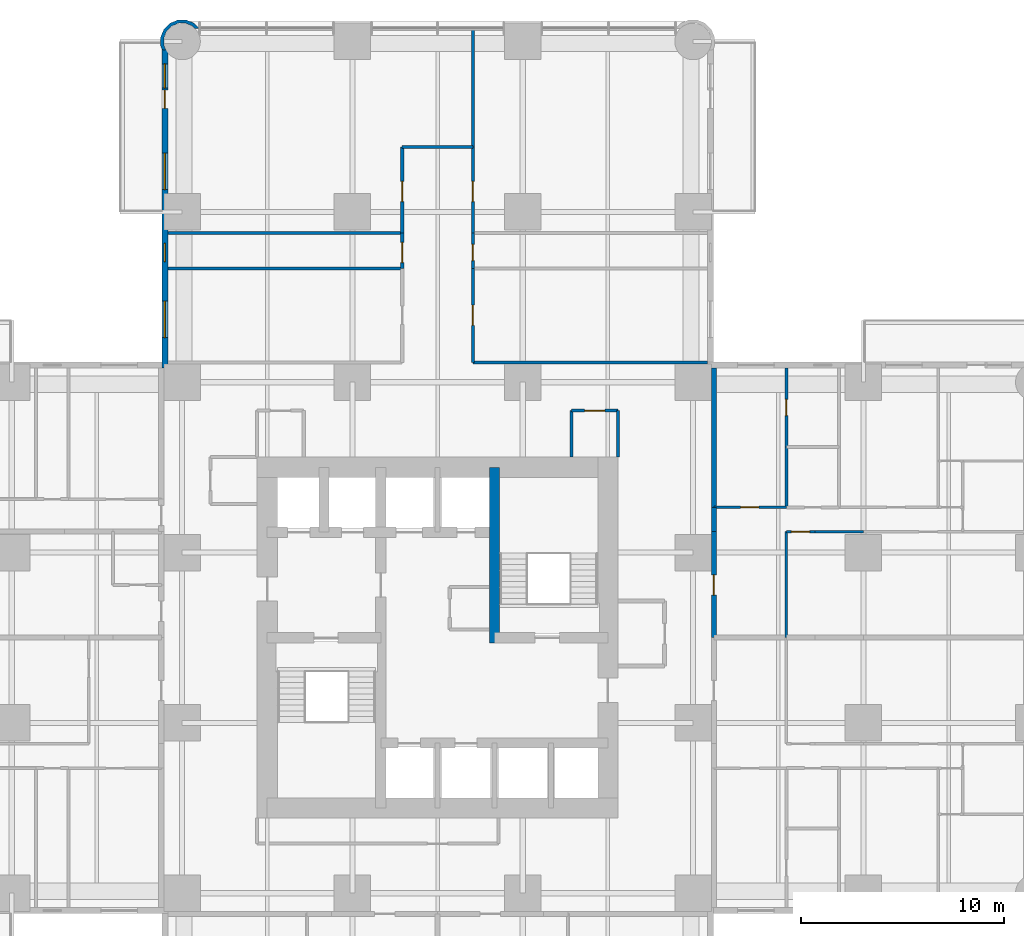
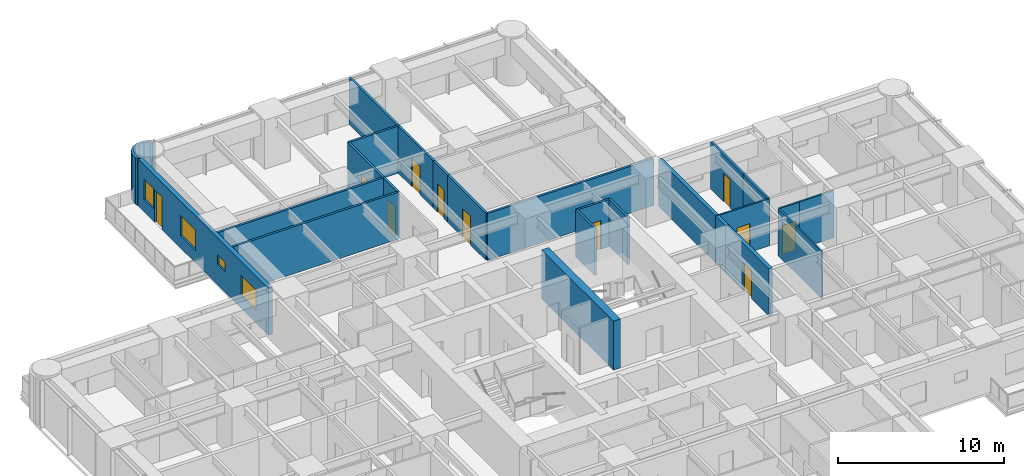
# One storey, part 13 of 17: 25 walls, 11 doors, 4 windows, 15 openings.
"""IFC4 building model written with IfcOpenShell, lengths in metres."""

from ifc_helpers import new_model, si_unit, direction, frame, frame_2d, origin, place, context, subcontext, project, spatial, polyline, rectangle, outline, extrude, material, layer, layer_set, type_object, element, fill, save


model = new_model("IFC4")

# Units and contexts
model_context = context("Model", 3, precision=1e-05, world=origin(), true_north=direction((0.0, 1.0)))
body_context = subcontext(model_context, "Body", "Model", "MODEL_VIEW")
ifc_project = project(units=[si_unit("LENGTHUNIT", "METRE"), si_unit("AREAUNIT", "SQUARE_METRE"), si_unit("VOLUMEUNIT", "CUBIC_METRE"), si_unit("PLANEANGLEUNIT", "RADIAN"), si_unit("MASSUNIT", "GRAM", prefix="KILO")], contexts=[model_context])

# Site, building, storey
site_placement = place(None, origin())
site = spatial("IfcSite", under=ifc_project, at=site_placement, CompositionType="ELEMENT")
building_placement = place(site_placement, origin())
building = spatial("IfcBuilding", under=site, at=building_placement, Name="Torre Alcanfor", CompositionType="ELEMENT")
storey_placement = place(building_placement, frame((0.0, 0.0, 34.5)))
storey = spatial("IfcBuildingStorey", under=building, at=storey_placement, Name="L07", CompositionType="ELEMENT", Elevation=34.5)

# Wall, opening, door
ifc_material_1 = material(Name="Concrete block masonry, hollow blocks NMX-C-404 9 MPa", Category="masonry")
ifc_layer_1 = layer(ifc_material_1, 0.25)
ifc_layer_set_1 = layer_set([ifc_layer_1], Name="Apartment entrance wall 250 EI 60")
wall_type_1 = type_object("IfcWallType", Name="Apartment entrance wall 250 EI 60", PredefinedType="PARTITIONING", material=ifc_layer_set_1)
wall_1_placement = place(storey_placement, frame((43.02490234375, 34.62890625, 0.0), z_axis=(0.0, 0.0, 1.0), x_axis=(0.0, -1.0, 0.0)))
wall_1 = element("IfcWall", 1, at=wall_1_placement, inside=storey, type_object=wall_type_1, Name="Partition L07-CORR / L07-E1-ZAG", PredefinedType="PARTITIONING", context=body_context, shape_type="SweptSolid", body=[
    extrude(rectangle(XDim=5.22900390625, YDim=0.25, at=frame_2d((2.614501953125, 0.0))), origin(), (0.0, 0.0, 1.0), 3.449951171875),
])
opening_1_placement = place(wall_1_placement, frame((2.12890625, 0.0, 0.0)))
opening_1 = element("IfcOpeningElement", 2, at=opening_1_placement, cuts=wall_1, Name="Opening D-A1", PredefinedType="OPENING", context=body_context, shape_type="SweptSolid", body=[
    extrude(rectangle(XDim=1.0, YDim=2.10009765625, at=frame_2d((0.5, 1.050048828125))), frame((0.0, 0.135009765625, 0.0), z_axis=(0.0, -1.0, 0.0), x_axis=(1.0, 0.0, 0.0)), (0.0, 0.0, 1.0), 0.27001953125),
])
ifc_material_2 = material(Name="Galvanised steel sheet ASTM A653", Category="steel")
door_type_1 = type_object("IfcDoorType", Name="Apartment entrance door FD60 1000x2100", OperationType="SINGLE_SWING_LEFT", PredefinedType="DOOR", material=ifc_material_2)
door_1_placement = place(opening_1_placement, origin())
door_1 = element("IfcDoor", 3, at=door_1_placement, inside=storey, type_object=door_type_1, Name="Apartment entrance L07-E1", OperationType="SINGLE_SWING_RIGHT", OverallHeight=2.10009765625, OverallWidth=1.0, PredefinedType="DOOR", context=body_context, shape_type="SweptSolid", body=[
    extrude(rectangle(XDim=1.0, YDim=2.10009765625, at=frame_2d((0.5, 1.050048828125))), frame((0.0, 0.02490234375, 0.0), z_axis=(0.0, -1.0, 0.0), x_axis=(1.0, 0.0, 0.0)), (0.0, 0.0, 1.0), 0.050048828125),
])
fill(opening_1, door_1)

# Walls
wall_2_placement = place(storey_placement, frame((43.02490234375, 35.8291015625, 0.0), z_axis=(0.0, 0.0, 1.0), x_axis=(0.0, -1.0, 0.0)))
element("IfcWall", 4, at=wall_2_placement, inside=storey, type_object=wall_type_1, Name="Partition L07-CORR / L07-E1-HALL", PredefinedType="PARTITIONING", context=body_context, shape_type="SweptSolid", body=[
    extrude(rectangle(XDim=1.2001953125, YDim=0.25, at=frame_2d((0.60009765625, 0.0))), origin(), (0.0, 0.0, 1.0), 3.449951171875),
])
wall_3_placement = place(storey_placement, frame((43.02490234375, 42.699951171875, 0.0), z_axis=(0.0, 0.0, 1.0), x_axis=(0.0, -1.0, 0.0)))
element("IfcWall", 5, at=wall_3_placement, inside=storey, type_object=wall_type_1, Name="Partition L07-CORR / L07-E1-SERV", PredefinedType="PARTITIONING", context=body_context, shape_type="SweptSolid", body=[
    extrude(rectangle(XDim=6.870849609375, YDim=0.25, at=frame_2d((3.435546875, 0.0))), origin(), (0.0, 0.0, 1.0), 3.449951171875),
])
ifc_material_3 = material(Name="Gypsum board on steel studs", Category="steel")
ifc_layer_2 = layer(ifc_material_3, 0.1201171875)
ifc_layer_set_2 = layer_set([ifc_layer_2], Name="Apartment partition 120")
wall_type_2 = type_object("IfcWallType", Name="Apartment partition 120", PredefinedType="PARTITIONING", material=ifc_layer_set_2)
wall_4_placement = place(storey_placement, frame((46.60009765625, 29.39990234375, 0.0), z_axis=(0.0, 0.0, 1.0), x_axis=(0.0, 1.0, 0.0)))
element("IfcWall", 6, at=wall_4_placement, inside=storey, type_object=wall_type_2, Name="Partition L07-E1-ZAG / L07-E1-LAUND", PredefinedType="PARTITIONING", context=body_context, shape_type="SweptSolid", body=[
    extrude(rectangle(XDim=5.22900390625, YDim=0.1201171875, at=frame_2d((2.614501953125, 0.0))), origin(), (0.0, 0.0, 1.0), 3.449951171875),
])

# Wall, opening, door
wall_5_placement = place(storey_placement, frame((48.0, 34.62890625, 0.0), z_axis=(0.0, 0.0, 1.0), x_axis=(-1.0, 0.0, 0.0)))
wall_5 = element("IfcWall", 7, at=wall_5_placement, inside=storey, type_object=wall_type_2, Name="Partition L07-E1-LAUND / L07-E1-HALL", PredefinedType="PARTITIONING", context=body_context, shape_type="SweptSolid", body=[
    extrude(rectangle(XDim=1.39990234375, YDim=0.1201171875, at=frame_2d((0.699951171875, 0.0))), origin(), (0.0, 0.0, 1.0), 3.449951171875),
])
opening_2_placement = place(wall_5_placement, frame((0.25, 0.0, 0.0)))
opening_2 = element("IfcOpeningElement", 8, at=opening_2_placement, cuts=wall_5, Name="Opening D-R1", PredefinedType="OPENING", context=body_context, shape_type="SweptSolid", body=[
    extrude(rectangle(XDim=0.89990234375, YDim=2.10009765625, at=frame_2d((0.449951171875, 1.050048828125))), frame((0.0, 0.070068359375, 0.0), z_axis=(0.0, -1.0, 0.0), x_axis=(1.0, 0.0, 0.0)), (0.0, 0.0, 1.0), 0.14013671875),
])
ifc_material_4 = material(Name="Timber", Category="wood")
door_type_2 = type_object("IfcDoorType", Name="Internal door 900x2100", OperationType="SINGLE_SWING_LEFT", PredefinedType="DOOR", material=ifc_material_4)
door_2_placement = place(opening_2_placement, origin())
door_2 = element("IfcDoor", 9, at=door_2_placement, inside=storey, type_object=door_type_2, Name="Door L07-E1 laund", OperationType="SINGLE_SWING_LEFT", OverallHeight=2.10009765625, OverallWidth=0.89990234375, PredefinedType="DOOR", context=body_context, shape_type="SweptSolid", body=[
    extrude(rectangle(XDim=0.89990234375, YDim=2.10009765625, at=frame_2d((0.449951171875, 1.050048828125))), frame((0.0, 0.02490234375, 0.0), z_axis=(0.0, -1.0, 0.0), x_axis=(1.0, 0.0, 0.0)), (0.0, 0.0, 1.0), 0.050048828125),
])
fill(opening_2, door_2)

# Wall
wall_6_placement = place(storey_placement, frame((50.39990234375, 34.62890625, 0.0), z_axis=(0.0, 0.0, 1.0), x_axis=(-1.0, 0.0, 0.0)))
element("IfcWall", 10, at=wall_6_placement, inside=storey, type_object=wall_type_2, Name="Partition L07-E1-KITCHEN / L07-E1-HALL", PredefinedType="PARTITIONING", context=body_context, shape_type="SweptSolid", body=[
    extrude(rectangle(XDim=2.39990234375, YDim=0.1201171875, at=frame_2d((1.199951171875, 0.0))), origin(), (0.0, 0.0, 1.0), 3.449951171875),
])

# Wall, opening, door
wall_7_placement = place(storey_placement, frame((46.60009765625, 35.8291015625, 0.0), z_axis=(0.0, 0.0, 1.0), x_axis=(-1.0, 0.0, 0.0)))
wall_7 = element("IfcWall", 11, at=wall_7_placement, inside=storey, type_object=wall_type_2, Name="Partition L07-E1-HALL / L07-E1-SERV", PredefinedType="PARTITIONING", context=body_context, shape_type="SweptSolid", body=[
    extrude(rectangle(XDim=3.5751953125, YDim=0.1201171875, at=frame_2d((1.78759765625, 0.0))), origin(), (0.0, 0.0, 1.0), 3.449951171875),
])
opening_3_placement = place(wall_7_placement, frame((1.35009765625, 0.0, 0.0)))
opening_3 = element("IfcOpeningElement", 12, at=opening_3_placement, cuts=wall_7, Name="Opening D-R1", PredefinedType="OPENING", context=body_context, shape_type="SweptSolid", body=[
    extrude(rectangle(XDim=0.89990234375, YDim=2.10009765625, at=frame_2d((0.449951171875, 1.050048828125))), frame((0.0, 0.070068359375, 0.0), z_axis=(0.0, -1.0, 0.0), x_axis=(1.0, 0.0, 0.0)), (0.0, 0.0, 1.0), 0.14013671875),
])
door_3_placement = place(opening_3_placement, frame((0.89990234375, 0.0, 0.0), z_axis=(0.0, 0.0, 1.0), x_axis=(-1.0, 0.0, 0.0)))
door_3 = element("IfcDoor", 13, at=door_3_placement, inside=storey, type_object=door_type_2, Name="Door L07-E1 serv", OperationType="SINGLE_SWING_LEFT", OverallHeight=2.10009765625, OverallWidth=0.89990234375, PredefinedType="DOOR", context=body_context, shape_type="SweptSolid", body=[
    extrude(rectangle(XDim=0.89990234375, YDim=2.10009765625, at=frame_2d((0.449951171875, 1.050048828125))), frame((0.0, 0.025146484375, 0.0), z_axis=(0.0, -1.0, 0.0), x_axis=(1.0, 0.0, 0.0)), (0.0, 0.0, 1.0), 0.050048828125),
])
fill(opening_3, door_3)

# Wall
ifc_material_5 = material(Name="Concrete f'c 70 MPa", Category="concrete")
ifc_layer_3 = layer(ifc_material_5, 0.5)
ifc_layer_set_3 = layer_set([ifc_layer_3], Name="Core inner wall 500 f'c70")
wall_type_3 = type_object("IfcWallType", Name="Core inner wall 500 f'c70", PredefinedType="SHEAR", material=ifc_layer_set_3)
wall_8_placement = place(storey_placement, frame((32.199951171875, 29.14990234375, 0.0), z_axis=(0.0, 0.0, 1.0), x_axis=(0.0, 1.0, 0.0)))
element("IfcWall", 14, at=wall_8_placement, inside=storey, type_object=wall_type_3, Name="Core wall X322N L07", PredefinedType="SHEAR", context=body_context, shape_type="SweptSolid", body=[
    extrude(rectangle(XDim=8.650146484375, YDim=0.5, at=frame_2d((4.3251953125, 0.0))), origin(), (0.0, 0.0, 1.0), 3.60009765625),
])

# Wall, openings, door, windows
ifc_material_6 = material(Name="Limestone cladding", Category="masonry")
ifc_layer_4 = layer(ifc_material_6, 0.0400390625, Name="Facing")
ifc_material_7 = material(Name="Ventilated air cavity")
ifc_layer_5 = layer(ifc_material_7, 0.02001953125, ventilated=True, Name="Ventilated joint")
ifc_material_8 = material(Name="Mineral wool insulation", Category="insulation")
ifc_layer_6 = layer(ifc_material_8, 0.10009765625, Name="Insulation")
ifc_material_9 = material(Name="Concrete f'c 35 MPa", Category="concrete")
ifc_layer_7 = layer(ifc_material_9, 0.139892578125, Name="Backing")
ifc_layer_set_4 = layer_set([ifc_layer_4, ifc_layer_5, ifc_layer_6, ifc_layer_7], Name="External wall stone-clad 300")
wall_type_4 = type_object("IfcWallType", Name="External wall stone-clad 300", PredefinedType="SOLIDWALL", material=ifc_layer_set_4)
wall_9_placement = place(storey_placement, frame((15.949951171875, 58.39990234375, 0.0), z_axis=(0.0, 0.0, 1.0), x_axis=(0.0, -1.0, 0.0)))
wall_9 = element("IfcWall", 15, at=wall_9_placement, inside=storey, type_object=wall_type_4, Name="External wall L07 12", PredefinedType="SOLIDWALL", context=body_context, shape_type="SweptSolid", body=[
    extrude(rectangle(XDim=15.699951171875, YDim=0.300048828125, at=frame_2d((7.85009765625, 0.0))), origin(), (0.0, 0.0, 1.0), 3.449951171875),
])
opening_4_placement = place(wall_9_placement, frame((12.39990234375, 0.0, 0.89990234375)))
opening_4 = element("IfcOpeningElement", 16, at=opening_4_placement, cuts=wall_9, Name="Opening W2", PredefinedType="OPENING", context=body_context, shape_type="SweptSolid", body=[
    extrude(rectangle(XDim=1.800048828125, YDim=1.5, at=frame_2d((0.89990234375, 0.75))), frame((0.0, 0.159912109375, 0.0), z_axis=(0.0, -1.0, 0.0), x_axis=(1.0, 0.0, 0.0)), (0.0, 0.0, 1.0), 0.320068359375),
])
opening_5_placement = place(wall_9_placement, frame((9.550048828125, 0.0, 1.5)))
opening_5 = element("IfcOpeningElement", 17, at=opening_5_placement, cuts=wall_9, Name="Opening W3", PredefinedType="OPENING", context=body_context, shape_type="SweptSolid", body=[
    extrude(rectangle(XDim=0.89990234375, YDim=0.699951171875, at=frame_2d((0.449951171875, 0.35009765625))), frame((0.0, 0.159912109375, 0.0), z_axis=(0.0, -1.0, 0.0), x_axis=(1.0, 0.0, 0.0)), (0.0, 0.0, 1.0), 0.320068359375),
])
opening_6_placement = place(wall_9_placement, frame((5.10009765625, 0.0, 0.89990234375)))
opening_6 = element("IfcOpeningElement", 18, at=opening_6_placement, cuts=wall_9, Name="Opening W2", PredefinedType="OPENING", context=body_context, shape_type="SweptSolid", body=[
    extrude(rectangle(XDim=1.800048828125, YDim=1.5, at=frame_2d((0.89990234375, 0.75))), frame((0.0, 0.159912109375, 0.0), z_axis=(0.0, -1.0, 0.0), x_axis=(1.0, 0.0, 0.0)), (0.0, 0.0, 1.0), 0.320068359375),
])
opening_7_placement = place(wall_9_placement, frame((2.0, 0.0, 0.0)))
opening_7 = element("IfcOpeningElement", 19, at=opening_7_placement, cuts=wall_9, Name="Opening D-B1", PredefinedType="OPENING", context=body_context, shape_type="SweptSolid", body=[
    extrude(rectangle(XDim=0.89990234375, YDim=2.39990234375, at=frame_2d((0.449951171875, 1.199951171875))), frame((0.0, 0.159912109375, 0.0), z_axis=(0.0, -1.0, 0.0), x_axis=(1.0, 0.0, 0.0)), (0.0, 0.0, 1.0), 0.320068359375),
])
opening_8_placement = place(wall_9_placement, frame((0.699951171875, 0.0, 0.89990234375)))
opening_8 = element("IfcOpeningElement", 20, at=opening_8_placement, cuts=wall_9, Name="Opening W4", PredefinedType="OPENING", context=body_context, shape_type="SweptSolid", body=[
    extrude(rectangle(XDim=1.199951171875, YDim=1.5, at=frame_2d((0.60009765625, 0.75))), frame((0.0, 0.159912109375, 0.0), z_axis=(0.0, -1.0, 0.0), x_axis=(1.0, 0.0, 0.0)), (0.0, 0.0, 1.0), 0.320068359375),
])
ifc_material_10 = material(Name="Aluminium and glass", Category="aluminium")
door_type_3 = type_object("IfcDoorType", Name="Balcony door glazed 900x2400", OperationType="SINGLE_SWING_LEFT", PredefinedType="DOOR", material=ifc_material_10)
door_4_placement = place(opening_7_placement, origin())
door_4 = element("IfcDoor", 21, at=door_4_placement, inside=storey, type_object=door_type_3, Name="Balcony door L07-N1", OperationType="SINGLE_SWING_LEFT", OverallHeight=2.39990234375, OverallWidth=0.89990234375, PredefinedType="DOOR", context=body_context, shape_type="SweptSolid", body=[
    extrude(rectangle(XDim=0.89990234375, YDim=2.39990234375, at=frame_2d((0.449951171875, 1.199951171875))), frame((0.0, 0.02490234375, 0.0), z_axis=(0.0, -1.0, 0.0), x_axis=(1.0, 0.0, 0.0)), (0.0, 0.0, 1.0), 0.050048828125),
])
fill(opening_7, door_4)
ifc_material_11 = material(Name="Aluminium frame with clear double glazing", Category="aluminium")
window_type_1 = type_object("IfcWindowType", Name="Window bathroom 900x700", PartitioningType="SINGLE_PANEL", PredefinedType="WINDOW", material=ifc_material_11)
window_1_placement = place(opening_5_placement, origin())
window_1 = element("IfcWindow", 22, at=window_1_placement, inside=storey, type_object=window_type_1, Name="Window W3 L07-N1", OverallHeight=0.699951171875, OverallWidth=0.89990234375, PartitioningType="SINGLE_PANEL", PredefinedType="WINDOW", context=body_context, shape_type="SweptSolid", body=[
    extrude(rectangle(XDim=0.89990234375, YDim=0.699951171875, at=frame_2d((0.449951171875, 0.35009765625))), frame((0.0, 0.030029296875, 0.0), z_axis=(0.0, -1.0, 0.0), x_axis=(1.0, 0.0, 0.0)), (0.0, 0.0, 1.0), 0.06005859375),
])
fill(opening_5, window_1)
ifc_material_12 = material(Name="Aluminium frame with clear double glazing", Category="aluminium")
window_type_2 = type_object("IfcWindowType", Name="Window bedroom 1200x1500", PartitioningType="SINGLE_PANEL", PredefinedType="WINDOW", material=ifc_material_12)
window_2_placement = place(opening_8_placement, origin())
window_2 = element("IfcWindow", 23, at=window_2_placement, inside=storey, type_object=window_type_2, Name="Window W4 L07-N1", OverallHeight=1.5, OverallWidth=1.199951171875, PartitioningType="SINGLE_PANEL", PredefinedType="WINDOW", context=body_context, shape_type="SweptSolid", body=[
    extrude(rectangle(XDim=1.199951171875, YDim=1.5, at=frame_2d((0.60009765625, 0.75))), frame((0.0, 0.030029296875, 0.0), z_axis=(0.0, -1.0, 0.0), x_axis=(1.0, 0.0, 0.0)), (0.0, 0.0, 1.0), 0.06005859375),
])
fill(opening_8, window_2)
ifc_material_13 = material(Name="Aluminium frame with clear double glazing", Category="aluminium")
window_type_3 = type_object("IfcWindowType", Name="Window bedroom 1800x1500", PartitioningType="SINGLE_PANEL", PredefinedType="WINDOW", material=ifc_material_13)
window_3_placement = place(opening_4_placement, origin())
window_3 = element("IfcWindow", 24, at=window_3_placement, inside=storey, type_object=window_type_3, Name="Window W2 L07-N1", OverallHeight=1.5, OverallWidth=1.800048828125, PartitioningType="SINGLE_PANEL", PredefinedType="WINDOW", context=body_context, shape_type="SweptSolid", body=[
    extrude(rectangle(XDim=1.800048828125, YDim=1.5, at=frame_2d((0.89990234375, 0.75))), frame((0.0, 0.030029296875, 0.0), z_axis=(0.0, -1.0, 0.0), x_axis=(1.0, 0.0, 0.0)), (0.0, 0.0, 1.0), 0.06005859375),
])
fill(opening_4, window_3)
window_4_placement = place(opening_6_placement, origin())
window_4 = element("IfcWindow", 25, at=window_4_placement, inside=storey, type_object=window_type_3, Name="Window W2 L07-N1", OverallHeight=1.5, OverallWidth=1.800048828125, PartitioningType="SINGLE_PANEL", PredefinedType="WINDOW", context=body_context, shape_type="SweptSolid", body=[
    extrude(rectangle(XDim=1.800048828125, YDim=1.5, at=frame_2d((0.89990234375, 0.75))), frame((0.0, 0.030029296875, 0.0), z_axis=(0.0, -1.0, 0.0), x_axis=(1.0, 0.0, 0.0)), (0.0, 0.0, 1.0), 0.06005859375),
])
fill(opening_6, window_4)

# Wall
ifc_material_14 = material(Name="Concrete block masonry, hollow blocks NMX-C-404 9 MPa", Category="masonry")
ifc_layer_8 = layer(ifc_material_14, 0.14990234375)
ifc_layer_set_5 = layer_set([ifc_layer_8], Name="Residents' room partition 150")
wall_type_5 = type_object("IfcWallType", Name="Residents' room partition 150", PredefinedType="PARTITIONING", material=ifc_layer_set_5)
wall_10_placement = place(storey_placement, frame((38.300048828125, 38.300048828125, 0.0), z_axis=(0.0, 0.0, 1.0), x_axis=(0.0, 1.0, 0.0)))
element("IfcWall", 26, at=wall_10_placement, inside=storey, type_object=wall_type_5, Name="Partition L07-CORR / L07-G02", PredefinedType="PARTITIONING", context=body_context, shape_type="SweptSolid", body=[
    extrude(rectangle(XDim=2.300048828125, YDim=0.14990234375, at=frame_2d((1.14990234375, 0.0))), origin(), (0.0, 0.0, 1.0), 3.449951171875),
])

# Wall, opening, door
wall_11_placement = place(storey_placement, frame((38.300048828125, 40.60009765625, 0.0), z_axis=(0.0, 0.0, 1.0), x_axis=(-1.0, 0.0, 0.0)))
wall_11 = element("IfcWall", 27, at=wall_11_placement, inside=storey, type_object=wall_type_5, Name="Partition L07-CORR / L07-G02", PredefinedType="PARTITIONING", context=body_context, shape_type="SweptSolid", body=[
    extrude(rectangle(XDim=2.300048828125, YDim=0.14990234375, at=frame_2d((1.14990234375, 0.0))), origin(), (0.0, 0.0, 1.0), 3.449951171875),
])
opening_9_placement = place(wall_11_placement, frame((0.64990234375, 0.0, 0.0)))
opening_9 = element("IfcOpeningElement", 28, at=opening_9_placement, cuts=wall_11, Name="Opening D-M1", PredefinedType="OPENING", context=body_context, shape_type="SweptSolid", body=[
    extrude(rectangle(XDim=1.0, YDim=2.10009765625, at=frame_2d((0.5, 1.050048828125))), frame((0.0, 0.0849609375, 0.0), z_axis=(0.0, -1.0, 0.0), x_axis=(1.0, 0.0, 0.0)), (0.0, 0.0, 1.0), 0.169921875),
])
ifc_material_15 = material(Name="Timber", Category="wood")
door_type_4 = type_object("IfcDoorType", Name="Residents' room door 1000x2100", OperationType="SINGLE_SWING_LEFT", PredefinedType="DOOR", material=ifc_material_15)
door_5_placement = place(opening_9_placement, origin())
door_5 = element("IfcDoor", 29, at=door_5_placement, inside=storey, type_object=door_type_4, Name="Door L07-G02 residents' storage lockers", OperationType="SINGLE_SWING_LEFT", OverallHeight=2.10009765625, OverallWidth=1.0, PredefinedType="DOOR", context=body_context, shape_type="SweptSolid", body=[
    extrude(rectangle(XDim=1.0, YDim=2.10009765625, at=frame_2d((0.5, 1.050048828125))), frame((0.0, 0.02490234375, 0.0), z_axis=(0.0, -1.0, 0.0), x_axis=(1.0, 0.0, 0.0)), (0.0, 0.0, 1.0), 0.050048828125),
])
fill(opening_9, door_5)

# Walls
wall_12_placement = place(storey_placement, frame((36.0, 40.60009765625, 0.0), z_axis=(0.0, 0.0, 1.0), x_axis=(0.0, -1.0, 0.0)))
element("IfcWall", 30, at=wall_12_placement, inside=storey, type_object=wall_type_5, Name="Partition L07-CORR / L07-G02", PredefinedType="PARTITIONING", context=body_context, shape_type="SweptSolid", body=[
    extrude(rectangle(XDim=2.300048828125, YDim=0.14990234375, at=frame_2d((1.14990234375, 0.0))), origin(), (0.0, 0.0, 1.0), 3.449951171875),
])
wall_13_placement = place(storey_placement, frame((31.14306640625, 42.97509765625, 0.0), z_axis=(0.0, 0.0, 1.0), x_axis=(1.0, 0.0, 0.0)))
element("IfcWall", 31, at=wall_13_placement, inside=storey, type_object=wall_type_5, Name="Partition L07-CORR / L07-N-STORE", PredefinedType="PARTITIONING", context=body_context, shape_type="SweptSolid", body=[
    extrude(rectangle(XDim=11.556884765625, YDim=0.14990234375, at=frame_2d((5.7783203125, 0.0))), origin(), (0.0, 0.0, 1.0), 3.449951171875),
])

# Wall, opening, door
wall_14_placement = place(storey_placement, frame((27.656982421875, 49.35009765625, 0.0), z_axis=(0.0, 0.0, 1.0), x_axis=(0.0, -1.0, 0.0)))
wall_14 = element("IfcWall", 32, at=wall_14_placement, inside=storey, type_object=wall_type_5, Name="Partition L07-N-ACORR / L07-N-AWC", PredefinedType="PARTITIONING", context=body_context, shape_type="SweptSolid", body=[
    extrude(rectangle(XDim=1.75, YDim=0.14990234375, at=frame_2d((0.875, 0.0))), origin(), (0.0, 0.0, 1.0), 3.449951171875),
])
opening_10_placement = place(wall_14_placement, frame((0.449951171875, 0.0, 0.0)))
opening_10 = element("IfcOpeningElement", 33, at=opening_10_placement, cuts=wall_14, Name="Opening D-W2", PredefinedType="OPENING", context=body_context, shape_type="SweptSolid", body=[
    extrude(rectangle(XDim=1.0, YDim=2.10009765625, at=frame_2d((0.5, 1.050048828125))), frame((0.0, 0.0849609375, 0.0), z_axis=(0.0, -1.0, 0.0), x_axis=(1.0, 0.0, 0.0)), (0.0, 0.0, 1.0), 0.169921875),
])
ifc_material_16 = material(Name="Timber", Category="wood")
door_type_5 = type_object("IfcDoorType", Name="Accessible WC door 1000x2100", OperationType="SINGLE_SWING_LEFT", PredefinedType="DOOR", material=ifc_material_16)
door_6_placement = place(opening_10_placement, origin())
door_6 = element("IfcDoor", 34, at=door_6_placement, inside=storey, type_object=door_type_5, Name="Door L07 N awc", OperationType="SINGLE_SWING_LEFT", OverallHeight=2.10009765625, OverallWidth=1.0, PredefinedType="DOOR", context=body_context, shape_type="SweptSolid", body=[
    extrude(rectangle(XDim=1.0, YDim=2.10009765625, at=frame_2d((0.5, 1.050048828125))), frame((0.0, 0.02490234375, 0.0), z_axis=(0.0, -1.0, 0.0), x_axis=(1.0, 0.0, 0.0)), (0.0, 0.0, 1.0), 0.050048828125),
])
fill(opening_10, door_6)

# Wall
wall_15_placement = place(storey_placement, frame((31.14306640625, 53.60009765625, 0.0), z_axis=(0.0, 0.0, 1.0), x_axis=(-1.0, 0.0, 0.0)))
element("IfcWall", 35, at=wall_15_placement, inside=storey, type_object=wall_type_5, Name="Partition L07-N-ACORR / L07-N-PLAY", PredefinedType="PARTITIONING", context=body_context, shape_type="SweptSolid", body=[
    extrude(rectangle(XDim=3.486083984375, YDim=0.14990234375, at=frame_2d((1.7431640625, 0.0))), origin(), (0.0, 0.0, 1.0), 3.449951171875),
])

# Wall, opening, door
wall_16_placement = place(storey_placement, frame((27.656982421875, 53.60009765625, 0.0), z_axis=(0.0, 0.0, 1.0), x_axis=(0.0, -1.0, 0.0)))
wall_16 = element("IfcWall", 36, at=wall_16_placement, inside=storey, type_object=wall_type_5, Name="Partition L07-N-ACORR / L07-N-PLAY", PredefinedType="PARTITIONING", context=body_context, shape_type="SweptSolid", body=[
    extrude(rectangle(XDim=4.25, YDim=0.14990234375, at=frame_2d((2.125, 0.0))), origin(), (0.0, 0.0, 1.0), 3.449951171875),
])
opening_11_placement = place(wall_16_placement, frame((1.699951171875, 0.0, 0.0)))
opening_11 = element("IfcOpeningElement", 37, at=opening_11_placement, cuts=wall_16, Name="Opening D-M1", PredefinedType="OPENING", context=body_context, shape_type="SweptSolid", body=[
    extrude(rectangle(XDim=1.0, YDim=2.10009765625, at=frame_2d((0.5, 1.050048828125))), frame((0.0, 0.0849609375, 0.0), z_axis=(0.0, -1.0, 0.0), x_axis=(1.0, 0.0, 0.0)), (0.0, 0.0, 1.0), 0.169921875),
])
door_7_placement = place(opening_11_placement, frame((1.0, 0.0, 0.0), z_axis=(0.0, 0.0, 1.0), x_axis=(-1.0, 0.0, 0.0)))
door_7 = element("IfcDoor", 38, at=door_7_placement, inside=storey, type_object=door_type_4, Name="Door L07 N play", OperationType="SINGLE_SWING_LEFT", OverallHeight=2.10009765625, OverallWidth=1.0, PredefinedType="DOOR", context=body_context, shape_type="SweptSolid", body=[
    extrude(rectangle(XDim=1.0, YDim=2.10009765625, at=frame_2d((0.5, 1.050048828125))), frame((0.0, 0.025146484375, 0.0), z_axis=(0.0, -1.0, 0.0), x_axis=(1.0, 0.0, 0.0)), (0.0, 0.0, 1.0), 0.050048828125),
])
fill(opening_11, door_7)

wall_17_placement = place(storey_placement, frame((31.14306640625, 42.97509765625, 0.0), z_axis=(0.0, 0.0, 1.0), x_axis=(0.0, 1.0, 0.0)))
wall_17 = element("IfcWall", 39, at=wall_17_placement, inside=storey, type_object=wall_type_5, Name="Partition L07-N-ACORR / L07-N-STORE", PredefinedType="PARTITIONING", context=body_context, shape_type="SweptSolid", body=[
    extrude(rectangle(XDim=4.625, YDim=0.14990234375, at=frame_2d((2.3125, 0.0))), origin(), (0.0, 0.0, 1.0), 3.449951171875),
])
opening_12_placement = place(wall_17_placement, frame((1.824951171875, 0.0, 0.0)))
opening_12 = element("IfcOpeningElement", 40, at=opening_12_placement, cuts=wall_17, Name="Opening D-M1", PredefinedType="OPENING", context=body_context, shape_type="SweptSolid", body=[
    extrude(rectangle(XDim=1.0, YDim=2.10009765625, at=frame_2d((0.5, 1.050048828125))), frame((0.0, 0.0849609375, 0.0), z_axis=(0.0, -1.0, 0.0), x_axis=(1.0, 0.0, 0.0)), (0.0, 0.0, 1.0), 0.169921875),
])
door_8_placement = place(opening_12_placement, frame((1.0, 0.0, 0.0), z_axis=(0.0, 0.0, 1.0), x_axis=(-1.0, 0.0, 0.0)))
door_8 = element("IfcDoor", 41, at=door_8_placement, inside=storey, type_object=door_type_4, Name="Door L07 N store", OperationType="SINGLE_SWING_LEFT", OverallHeight=2.10009765625, OverallWidth=1.0, PredefinedType="DOOR", context=body_context, shape_type="SweptSolid", body=[
    extrude(rectangle(XDim=1.0, YDim=2.10009765625, at=frame_2d((0.5, 1.050048828125))), frame((0.0, 0.025146484375, 0.0), z_axis=(0.0, -1.0, 0.0), x_axis=(1.0, 0.0, 0.0)), (0.0, 0.0, 1.0), 0.050048828125),
])
fill(opening_12, door_8)

wall_18_placement = place(storey_placement, frame((31.14306640625, 47.60009765625, 0.0), z_axis=(0.0, 0.0, 1.0), x_axis=(0.0, 1.0, 0.0)))
wall_18 = element("IfcWall", 42, at=wall_18_placement, inside=storey, type_object=wall_type_5, Name="Partition L07-N-ACORR / L07-N-CLEAN", PredefinedType="PARTITIONING", context=body_context, shape_type="SweptSolid", body=[
    extrude(rectangle(XDim=1.75, YDim=0.14990234375, at=frame_2d((0.875, 0.0))), origin(), (0.0, 0.0, 1.0), 3.449951171875),
])
opening_13_placement = place(wall_18_placement, frame((0.39990234375, 0.0, 0.0)))
opening_13 = element("IfcOpeningElement", 43, at=opening_13_placement, cuts=wall_18, Name="Opening D-R2", PredefinedType="OPENING", context=body_context, shape_type="SweptSolid", body=[
    extrude(rectangle(XDim=0.800048828125, YDim=2.10009765625, at=frame_2d((0.39990234375, 1.050048828125))), frame((0.0, 0.0849609375, 0.0), z_axis=(0.0, -1.0, 0.0), x_axis=(1.0, 0.0, 0.0)), (0.0, 0.0, 1.0), 0.169921875),
])
ifc_material_17 = material(Name="Timber", Category="wood")
door_type_6 = type_object("IfcDoorType", Name="Bathroom door 800x2100", OperationType="SINGLE_SWING_LEFT", PredefinedType="DOOR", material=ifc_material_17)
door_9_placement = place(opening_13_placement, frame((0.800048828125, 0.0, 0.0), z_axis=(0.0, 0.0, 1.0), x_axis=(-1.0, 0.0, 0.0)))
door_9 = element("IfcDoor", 44, at=door_9_placement, inside=storey, type_object=door_type_6, Name="Door L07 N clean", OperationType="SINGLE_SWING_RIGHT", OverallHeight=2.10009765625, OverallWidth=0.800048828125, PredefinedType="DOOR", context=body_context, shape_type="SweptSolid", body=[
    extrude(rectangle(XDim=0.800048828125, YDim=2.10009765625, at=frame_2d((0.400146484375, 1.050048828125))), frame((0.0, 0.025146484375, 0.0), z_axis=(0.0, -1.0, 0.0), x_axis=(1.0, 0.0, 0.0)), (0.0, 0.0, 1.0), 0.050048828125),
])
fill(opening_13, door_9)

wall_19_placement = place(storey_placement, frame((31.14306640625, 49.35009765625, 0.0), z_axis=(0.0, 0.0, 1.0), x_axis=(0.0, 1.0, 0.0)))
wall_19 = element("IfcWall", 45, at=wall_19_placement, inside=storey, type_object=wall_type_5, Name="Partition L07-N-ACORR / L07-N-STUDYR", PredefinedType="PARTITIONING", context=body_context, shape_type="SweptSolid", body=[
    extrude(rectangle(XDim=4.25, YDim=0.14990234375, at=frame_2d((2.125, 0.0))), origin(), (0.0, 0.0, 1.0), 3.449951171875),
])
opening_14_placement = place(wall_19_placement, frame((1.550048828125, 0.0, 0.0)))
opening_14 = element("IfcOpeningElement", 46, at=opening_14_placement, cuts=wall_19, Name="Opening D-M1", PredefinedType="OPENING", context=body_context, shape_type="SweptSolid", body=[
    extrude(rectangle(XDim=1.0, YDim=2.10009765625, at=frame_2d((0.5, 1.050048828125))), frame((0.0, 0.0849609375, 0.0), z_axis=(0.0, -1.0, 0.0), x_axis=(1.0, 0.0, 0.0)), (0.0, 0.0, 1.0), 0.169921875),
])
door_10_placement = place(opening_14_placement, frame((1.0, 0.0, 0.0), z_axis=(0.0, 0.0, 1.0), x_axis=(-1.0, 0.0, 0.0)))
door_10 = element("IfcDoor", 47, at=door_10_placement, inside=storey, type_object=door_type_4, Name="Door L07 N studyr", OperationType="SINGLE_SWING_RIGHT", OverallHeight=2.10009765625, OverallWidth=1.0, PredefinedType="DOOR", context=body_context, shape_type="SweptSolid", body=[
    extrude(rectangle(XDim=1.0, YDim=2.10009765625, at=frame_2d((0.5, 1.050048828125))), frame((0.0, 0.025146484375, 0.0), z_axis=(0.0, -1.0, 0.0), x_axis=(1.0, 0.0, 0.0)), (0.0, 0.0, 1.0), 0.050048828125),
])
fill(opening_14, door_10)

# Walls
for number, where, z_axis, x_axis, name in (
    (48, (27.656982421875, 47.60009765625, 0.0), (0.0, 0.0, 1.0), (-1.0, 0.0, 0.0), "Partition L07-N-WC / L07-N-AWC"),
    (49, (27.656982421875, 49.35009765625, 0.0), (0.0, 0.0, 1.0), (-1.0, 0.0, 0.0), "Partition L07-N-AWC / L07-N-PLAY"),
):
    element("IfcWall", number, at=place(storey_placement, frame(where, z_axis=z_axis, x_axis=x_axis)), inside=storey, type_object=wall_type_5, Name=name, PredefinedType="PARTITIONING", context=body_context, shape_type="SweptSolid", body=[
        extrude(rectangle(XDim=11.556884765625, YDim=0.14990234375, at=frame_2d((5.7783203125, 0.0))), origin(), (0.0, 0.0, 1.0), 3.449951171875),
    ])
wall_20_placement = place(storey_placement, frame((31.14306640625, 59.449951171875, 0.0), z_axis=(0.0, 0.0, 1.0), x_axis=(0.0, -1.0, 0.0)))
element("IfcWall", 50, at=wall_20_placement, inside=storey, type_object=wall_type_5, Name="Partition L07-N-PLAY / L07-N-STUDYR", PredefinedType="PARTITIONING", context=body_context, shape_type="SweptSolid", body=[
    extrude(rectangle(XDim=5.849853515625, YDim=0.14990234375, at=frame_2d((2.9248046875, 0.0))), origin(), (0.0, 0.0, 1.0), 3.449951171875),
])
ifc_layer_9 = layer(ifc_material_6, 0.0400390625, Name="Facing")
ifc_layer_10 = layer(ifc_material_7, 0.02001953125, ventilated=True, Name="Ventilated joint")
ifc_layer_11 = layer(ifc_material_8, 0.10009765625, Name="Insulation")
ifc_layer_12 = layer(ifc_material_9, 0.139892578125, Name="Backing")
ifc_layer_set_6 = layer_set([ifc_layer_9, ifc_layer_10, ifc_layer_11, ifc_layer_12], Name="Rounded corner pier stone-clad 300")
wall_type_6 = type_object("IfcWallType", Name="Rounded corner pier stone-clad 300", PredefinedType="SOLIDWALL", material=ifc_layer_set_6)
wall_21_placement = place(storey_placement, frame((17.56659392, 59.410519256, 0.0), z_axis=(0.0, 0.0, 1.0), x_axis=(-0.377204953059, 0.926129809145, 0.0)))
element("IfcWall", 51, at=wall_21_placement, inside=storey, type_object=wall_type_6, Name="Corner pier L07 20", PredefinedType="SOLIDWALL", context=body_context, shape_type="SweptSolid", body=[
    extrude(outline(polyline([(-0.2696128896034876, 2.017259773730947), (-0.3700074466497617, 1.8406682313445892), (-0.10228391712117135, 1.84234447704578), (0.22963955939869596, 1.7071548112521016), (0.48448400216769655, 1.4552078217286728), (0.623591424193435, 1.1249193736895309), (0.6256953869469392, 0.7663384814459974), (0.4905057211532608, 0.43441500492612994), (0.23855873162983204, 0.17957056215712927), (0.0901868556189969, 0.11689353267829827), (0.010896458992050665, -0.07778365620699182), (0.024462813618203284, -0.08330911938656994), (0.3293875956360306, 0.04530321995417183), (0.4799529344667901, 0.19750641360159463), (0.4990544088845829, 0.19262629437695172), (0.507600976756774, 0.22526044306054033), (0.6260470289213595, 0.34520397592848606), (0.7850882774402169, 0.7356888832512456), (0.7822913942554518, 1.1572920874778148), (0.618751344370654, 1.5460366857348715), (0.3187584973433468, 1.8424700131097647), (-0.07172640997941271, 2.0015112616286217), (-0.24006791291721008, 2.0004813020300714), (-0.2696128896034876, 2.017259773730947)])), origin(), (0.0, 0.0, 1.0), 3.449951171875),
])
ifc_material_18 = material(Name="Cement board on steel studs", Category="steel")
ifc_layer_13 = layer(ifc_material_18, 0.14990234375)
ifc_layer_set_7 = layer_set([ifc_layer_13], Name="Wet area partition 150")
wall_type_7 = type_object("IfcWallType", Name="Wet area partition 150", PredefinedType="PARTITIONING", material=ifc_layer_set_7)
wall_22_placement = place(storey_placement, frame((46.60009765625, 35.8291015625, 0.0), z_axis=(0.0, 0.0, 1.0), x_axis=(0.0, 1.0, 0.0)))
element("IfcWall", 52, at=wall_22_placement, inside=storey, type_object=wall_type_7, Name="Partition L07-E1-SERV / L07-E1-BATH1", PredefinedType="PARTITIONING", context=body_context, shape_type="SweptSolid", body=[
    extrude(rectangle(XDim=2.970947265625, YDim=0.14990234375, at=frame_2d((1.4853515625, 0.0))), origin(), (0.0, 0.0, 1.0), 3.449951171875),
])

# Wall, opening, door
wall_23_placement = place(storey_placement, frame((46.60009765625, 38.800048828125, 0.0), z_axis=(0.0, 0.0, 1.0), x_axis=(0.0, 1.0, 0.0)))
wall_23 = element("IfcWall", 53, at=wall_23_placement, inside=storey, type_object=wall_type_7, Name="Partition L07-E1-SERV / L07-E1-SBATH", PredefinedType="PARTITIONING", context=body_context, shape_type="SweptSolid", body=[
    extrude(rectangle(XDim=3.89990234375, YDim=0.14990234375, at=frame_2d((1.949951171875, 0.0))), origin(), (0.0, 0.0, 1.0), 3.449951171875),
])
opening_15_placement = place(wall_23_placement, frame((1.550048828125, 0.0, 0.0)))
opening_15 = element("IfcOpeningElement", 54, at=opening_15_placement, cuts=wall_23, Name="Opening D-R2", PredefinedType="OPENING", context=body_context, shape_type="SweptSolid", body=[
    extrude(rectangle(XDim=0.800048828125, YDim=2.10009765625, at=frame_2d((0.39990234375, 1.050048828125))), frame((0.0, 0.0849609375, 0.0), z_axis=(0.0, -1.0, 0.0), x_axis=(1.0, 0.0, 0.0)), (0.0, 0.0, 1.0), 0.169921875),
])
door_11_placement = place(opening_15_placement, frame((0.800048828125, 0.0, 0.0), z_axis=(0.0, 0.0, 1.0), x_axis=(-1.0, 0.0, 0.0)))
door_11 = element("IfcDoor", 55, at=door_11_placement, inside=storey, type_object=door_type_6, Name="Door L07-E1 sbath", OperationType="SINGLE_SWING_RIGHT", OverallHeight=2.10009765625, OverallWidth=0.800048828125, PredefinedType="DOOR", context=body_context, shape_type="SweptSolid", body=[
    extrude(rectangle(XDim=0.800048828125, YDim=2.10009765625, at=frame_2d((0.400146484375, 1.050048828125))), frame((0.0, 0.025146484375, 0.0), z_axis=(0.0, -1.0, 0.0), x_axis=(1.0, 0.0, 0.0)), (0.0, 0.0, 1.0), 0.050048828125),
])
fill(opening_15, door_11)

save(model, "model.ifc")
